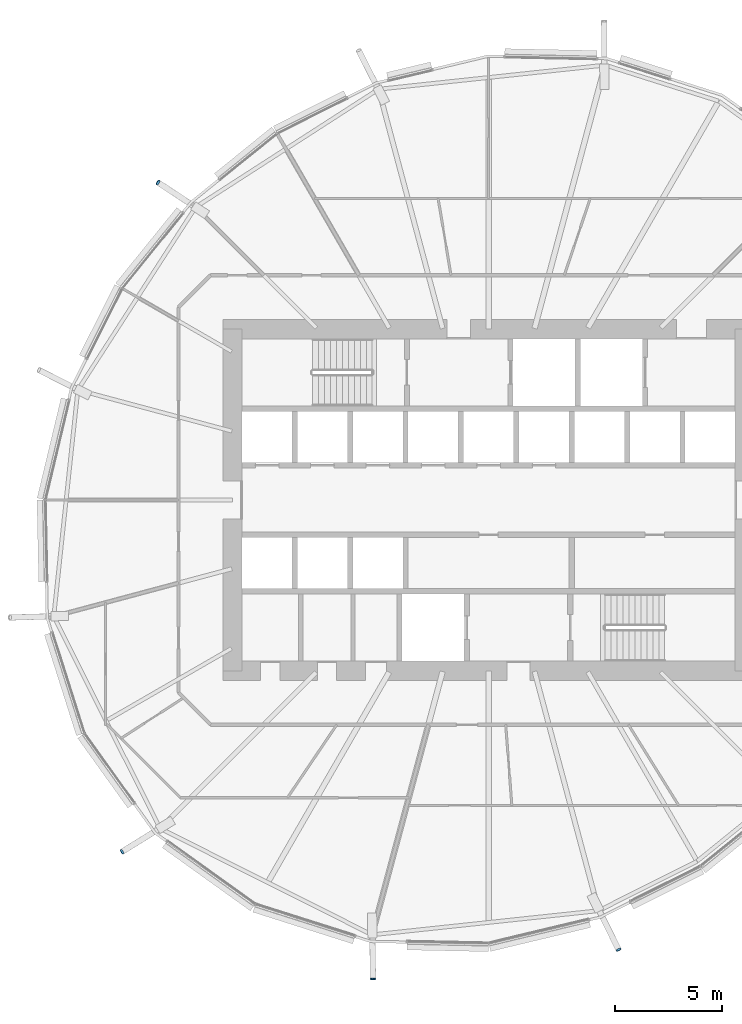
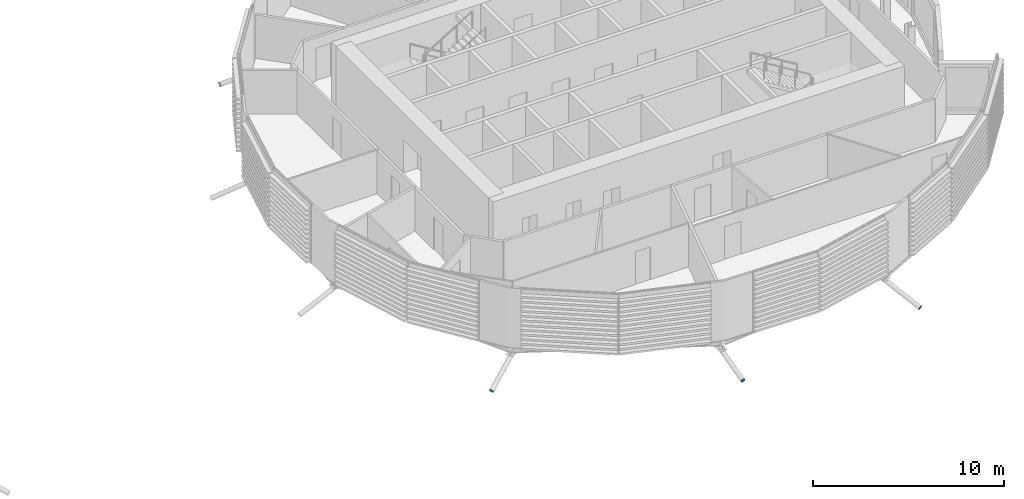
# One storey, part 29 of 36: 4 discrete accessories.
"""IFC4 building model written with IfcOpenShell, lengths in metres."""

from ifc_helpers import new_model, si_unit, direction, frame, origin, origin_2d, place, context, subcontext, project, spatial, circle, extrude, material, material_profile, profile_set, type_object, element, save


model = new_model("IFC4")

# Units and contexts
model_context = context("Model", 3, precision=1e-05, world=origin(), true_north=direction((0.0, 1.0)))
body_context = subcontext(model_context, "Body", "Model", "MODEL_VIEW")
ifc_project = project(units=[si_unit("LENGTHUNIT", "METRE"), si_unit("AREAUNIT", "SQUARE_METRE"), si_unit("VOLUMEUNIT", "CUBIC_METRE"), si_unit("PLANEANGLEUNIT", "RADIAN"), si_unit("MASSUNIT", "GRAM", prefix="KILO")], contexts=[model_context])

# Site, building, storey
site_placement = place(None, origin())
site = spatial("IfcSite", under=ifc_project, at=site_placement, CompositionType="ELEMENT")
building_placement = place(site_placement, origin())
building = spatial("IfcBuilding", under=site, at=building_placement, Name="Rimbun Link Towers", CompositionType="ELEMENT")
storey_placement = place(building_placement, frame((0.0, 0.0, 33.800048828125)))
storey = spatial("IfcBuildingStorey", under=building, at=storey_placement, Name="L07", CompositionType="ELEMENT", Elevation=33.800048828125)

# Discrete accessories
ifc_material = material(Name="Steel S355J2H", Category="steel")
ifc_material_profile = material_profile(ifc_material, circle(Radius=0.1240234375, at=origin_2d()), Name="PL D248")
ifc_profile_set = profile_set([ifc_material_profile], Name="Steel S355J2H")
discrete_accessory_type = type_object("IfcDiscreteAccessoryType", Name="Link foot sealing plate D248X20", PredefinedType="BRACKET", material=ifc_profile_set)
for number, where, z_axis, x_axis, name in (
    (1, (16.2744140625, 14.866455078125, -1.74462890625), (-0.741316092871, 0.498261636192, -0.449650744856), (-0.557836036894, -0.829951176842, 0.0), "Link foot sealing plate T2 L07 06"),
    (2, (14.587890625, -16.4716796875, -1.73486328125), (-0.776971427003, -0.485607141877, -0.400625892048), (0.529998940003, -0.847998304005, 0.0), "Link foot sealing plate T2 L07 12"),
    (3, (26.333984375, -22.427001953125, -1.57568359375), (0.024381180603, -0.963056633824, -0.268192986635), (0.999679692497, 0.025308346645, 0.0), "Link foot sealing plate T2 L07 14"),
    (4, (37.839111328125, -21.05859375, -1.77685546875), (0.414110987304, -0.828221974607, -0.377571782542), (0.894427191, 0.4472135955, 0.0), "Link foot sealing plate T2 L07 16"),
):
    element("IfcDiscreteAccessory", number, at=place(storey_placement, frame(where, z_axis=z_axis, x_axis=x_axis)), inside=storey, type_object=discrete_accessory_type, Name=name, PredefinedType="BRACKET", context=body_context, shape_type="SweptSolid", body=[
        extrude(circle(Radius=0.1240234375, at=origin_2d()), origin(), (0.0, 0.0, 1.0), 0.02001953125),
    ])

save(model, "model.ifc")
